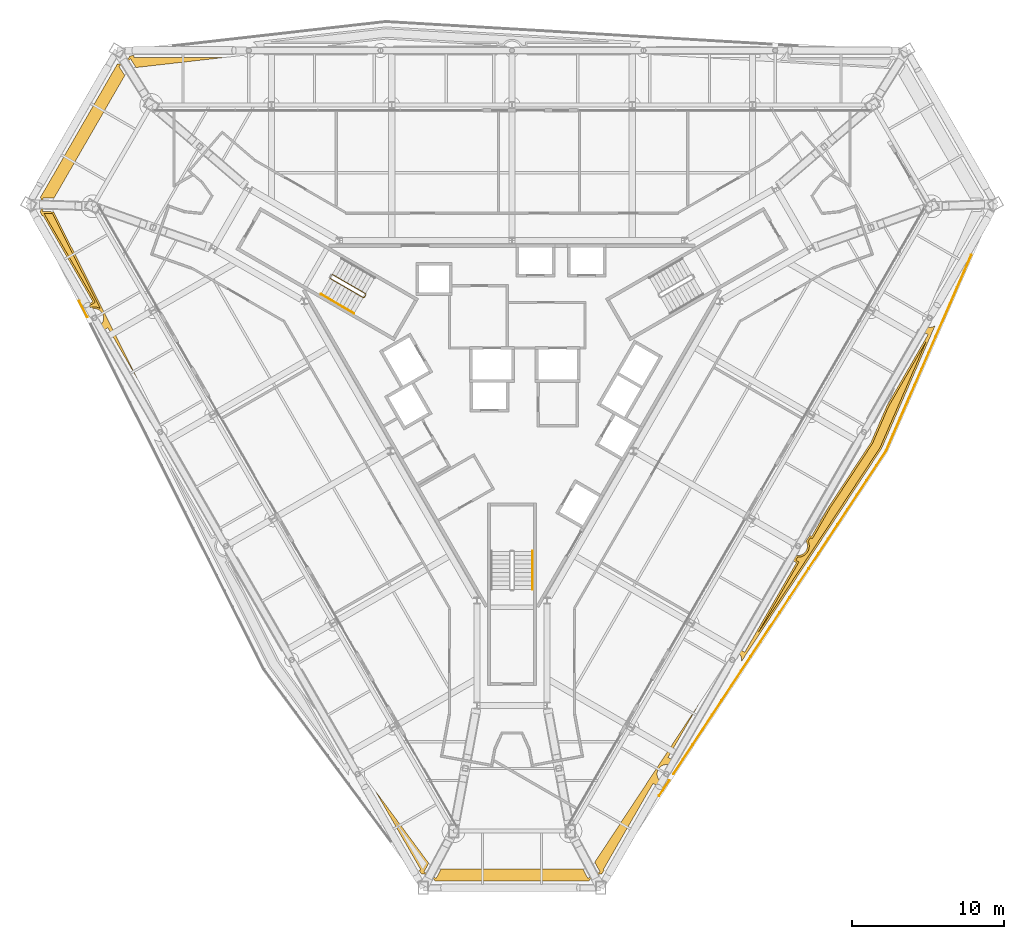
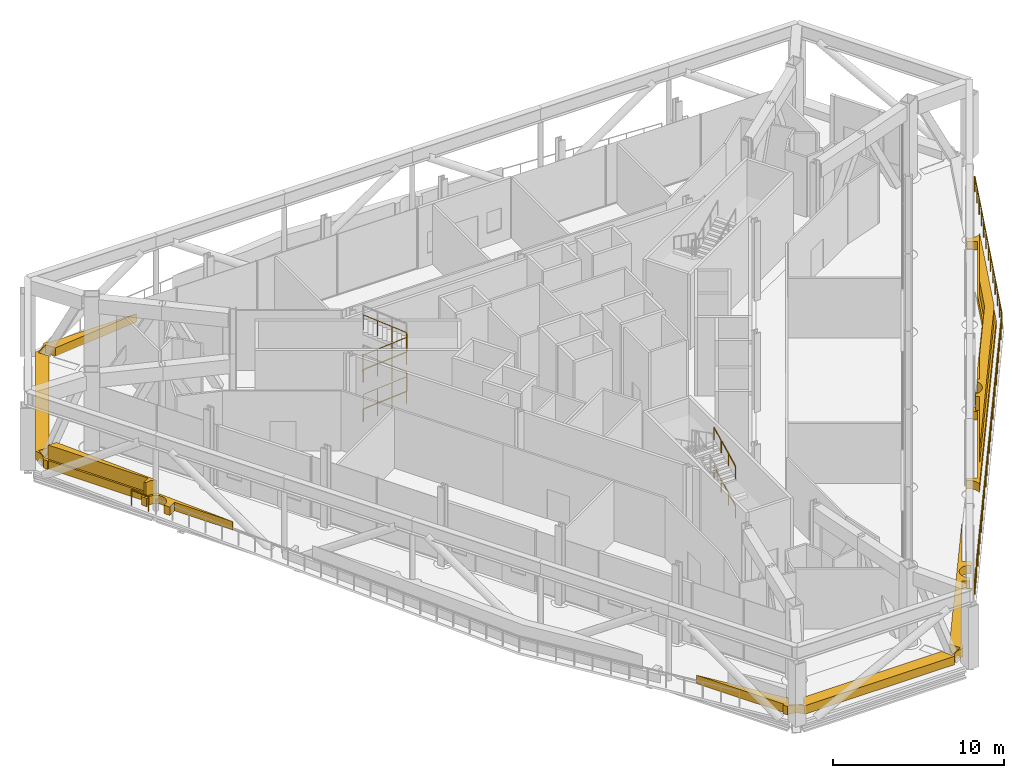
# One storey, part 23 of 26: 8 railings, 5 coverings.
"""IFC4 building model written with IfcOpenShell, lengths in metres."""

from ifc_helpers import new_model, si_unit, direction, frame, origin, origin_2d, place, context, subcontext, project, spatial, polyline, circle, outline, extrude, material, type_object, element, save


model = new_model("IFC4")

# Units and contexts
model_context = context("Model", 3, precision=1e-05, world=origin(), true_north=direction((0.0, 1.0)))
body_context = subcontext(model_context, "Body", "Model", "MODEL_VIEW")
ifc_project = project(units=[si_unit("LENGTHUNIT", "METRE"), si_unit("AREAUNIT", "SQUARE_METRE"), si_unit("VOLUMEUNIT", "CUBIC_METRE"), si_unit("PLANEANGLEUNIT", "RADIAN"), si_unit("MASSUNIT", "GRAM", prefix="KILO")], contexts=[model_context])

# Site, building, storey
site_placement = place(None, origin())
site = spatial("IfcSite", under=ifc_project, at=site_placement, CompositionType="ELEMENT")
building_placement = place(site_placement, origin())
building = spatial("IfcBuilding", under=site, at=building_placement, Name="Verrane Prism Tower", CompositionType="ELEMENT")
storey_placement = place(building_placement, frame((0.0, 0.0, 87.199951171875)))
storey = spatial("IfcBuildingStorey", under=building, at=storey_placement, Name="L20", CompositionType="ELEMENT", Elevation=87.199951171875)

# Coverings
ifc_material_1 = material(Name="Planting medium in stone kerb", Category="masonry")
covering_type_1 = type_object("IfcCoveringType", Name="Planter bed 600", PredefinedType="USERDEFINED", material=ifc_material_1)
covering_1_placement = place(storey_placement, origin())
element("IfcCovering", 1, at=covering_1_placement, inside=storey, type_object=covering_type_1, Name="Planter bed L20 2", ObjectType="PLANTER", PredefinedType="USERDEFINED", context=body_context, shape_type="SweptSolid", body=[
    extrude(outline(polyline([(27.75390625, 3.618896484375), (27.688720703125, 3.579833984375), (27.634521484375, 3.55419921875), (27.577880859375, 3.53369140625), (27.51953125, 3.519287109375), (27.4599609375, 3.510498046875), (27.39990234375, 3.50732421875), (27.340087890625, 3.510498046875), (27.280517578125, 3.519287109375), (27.22216796875, 3.53369140625), (27.16552734375, 3.55419921875), (27.111083984375, 3.579833984375), (27.059814453125, 3.610595703125), (27.011474609375, 3.646484375), (26.966796875, 3.68701171875), (26.92919921875, 3.728515625), (26.75830078125, 3.336181640625), (27.289794921875, 3.029296875), (24.59130859375, -1.64306640625), (23.538818359375, -4.061279296875), (20.7783203125, -8.256103515625), (19.65869140625, -10.198974609375), (19.54345703125, -10.13232421875), (19.2900390625, -10.517578125), (19.310302734375, -10.55126953125), (19.3359375, -10.605712890625), (19.356201171875, -10.662109375), (19.370849609375, -10.720458984375), (19.379638671875, -10.780029296875), (19.382568359375, -10.840087890625), (19.379638671875, -10.89990234375), (19.370849609375, -10.95947265625), (19.356201171875, -11.017822265625), (19.3359375, -11.074462890625), (19.310302734375, -11.12890625), (19.279296875, -11.180419921875), (19.243408203125, -11.228515625), (19.203125, -11.273193359375), (19.15869140625, -11.3134765625), (19.1103515625, -11.349365234375), (19.058837890625, -11.380126953125), (19.00439453125, -11.406005859375), (18.94775390625, -11.42626953125), (18.889404296875, -11.44091796875), (18.830078125, -11.44970703125), (18.77001953125, -11.45263671875), (18.7099609375, -11.44970703125), (18.6796875, -11.445068359375), (18.44287109375, -11.8046875), (18.659423828125, -11.93017578125), (15.26318359375, -17.802734375), (14.707275390625, -17.481201171875), (14.558349609375, -17.70751953125), (14.569580078125, -17.709228515625), (14.627685546875, -17.723876953125), (14.684326171875, -17.744140625), (14.73876953125, -17.769775390625), (14.790283203125, -17.80078125), (14.838623046875, -17.83642578125), (14.883056640625, -17.876953125), (14.923583984375, -17.92138671875), (14.959228515625, -17.9697265625), (14.990234375, -18.021240234375), (15.015869140625, -18.07568359375), (15.0361328125, -18.132080078125), (15.05078125, -18.1904296875), (15.0595703125, -18.25), (15.0625, -18.31005859375), (15.0595703125, -18.3701171875), (15.0537109375, -18.41015625), (24.244873046875, -4.443603515625), (27.75390625, 3.618896484375)])), origin(), (0.0, 0.0, 1.0), 0.60009765625),
])
covering_2_placement = place(storey_placement, origin())
element("IfcCovering", 2, at=covering_2_placement, inside=storey, type_object=covering_type_1, Name="Planter bed L20 3", ObjectType="PLANTER", PredefinedType="USERDEFINED", context=body_context, shape_type="SweptSolid", body=[
    extrude(outline(polyline([(-4.5576171875, -32.81005859375), (4.35693359375, -32.81005859375), (4.35693359375, -32.811279296875), (5.041015625, -32.811279296875), (5.07177734375, -32.760009765625), (5.124267578125, -32.68896484375), (5.18359375, -32.62353515625), (5.2490234375, -32.564208984375), (5.320068359375, -32.51171875), (5.395751953125, -32.46630859375), (5.4755859375, -32.428466796875), (5.55859375, -32.398681640625), (5.644287109375, -32.377197265625), (5.731689453125, -32.3642578125), (5.820068359375, -32.360107421875), (5.87158203125, -32.362548828125), (6.045166015625, -32.098876953125), (5.989013671875, -32.06640625), (9.25146484375, -26.412109375), (9.64013671875, -26.63623046875), (9.84130859375, -26.330322265625), (9.789794921875, -26.29931640625), (9.741455078125, -26.263427734375), (9.697021484375, -26.22314453125), (9.656494140625, -26.1787109375), (9.62060546875, -26.13037109375), (9.58984375, -26.078857421875), (9.564208984375, -26.0244140625), (9.543701171875, -25.9677734375), (9.529296875, -25.909423828125), (9.5205078125, -25.85009765625), (9.517333984375, -25.7900390625), (9.5205078125, -25.72998046875), (9.529296875, -25.67041015625), (9.543701171875, -25.6123046875), (9.564208984375, -25.5556640625), (9.58984375, -25.501220703125), (9.62060546875, -25.44970703125), (9.656494140625, -25.4013671875), (9.697021484375, -25.35693359375), (9.741455078125, -25.31640625), (9.789794921875, -25.28076171875), (9.84130859375, -25.249755859375), (9.8955078125, -25.22412109375), (9.9521484375, -25.203857421875), (10.010498046875, -25.189208984375), (10.070068359375, -25.180419921875), (10.1298828125, -25.177490234375), (10.18994140625, -25.180419921875), (10.24951171875, -25.189208984375), (10.307861328125, -25.203857421875), (10.364501953125, -25.22412109375), (10.418701171875, -25.249755859375), (10.47021484375, -25.28076171875), (10.511962890625, -25.3115234375), (10.72900390625, -24.981689453125), (10.240234375, -24.69921875), (12.19677734375, -21.3115234375), (12.189697265625, -21.306884765625), (5.430419921875, -31.577880859375), (5.772705078125, -32.21728515625), (4.97900390625, -32.641845703125), (4.6416015625, -32.01123046875), (-4.6416015625, -32.01123046875), (-4.97900390625, -32.641845703125), (-5.772705078125, -32.21728515625), (-5.46337890625, -31.639404296875), (-8.939453125, -26.9384765625), (-8.945556640625, -26.9423828125), (-5.989013671875, -32.06640625), (-6.0966796875, -32.128662109375), (-5.921142578125, -32.3662109375), (-5.908203125, -32.3642578125), (-5.820068359375, -32.360107421875), (-5.731689453125, -32.3642578125), (-5.644287109375, -32.377197265625), (-5.55859375, -32.398681640625), (-5.4755859375, -32.428466796875), (-5.395751953125, -32.46630859375), (-5.320068359375, -32.51171875), (-5.2490234375, -32.564208984375), (-5.18359375, -32.62353515625), (-5.124267578125, -32.68896484375), (-5.07177734375, -32.760009765625), (-5.041015625, -32.811279296875), (-4.5576171875, -32.811279296875), (-4.5576171875, -32.81005859375)])), origin(), (0.0, 0.0, 1.0), 0.60009765625),
])
covering_3_placement = place(storey_placement, origin())
element("IfcCovering", 3, at=covering_3_placement, inside=storey, type_object=covering_type_1, Name="Planter bed L20 6", ObjectType="PLANTER", PredefinedType="USERDEFINED", context=body_context, shape_type="SweptSolid", body=[
    extrude(outline(polyline([(-30.933837890625, 12.04345703125), (-30.916259765625, 12.014404296875), (-30.87841796875, 11.934326171875), (-30.848876953125, 11.851318359375), (-30.827392578125, 11.765625), (-30.814208984375, 11.67822265625), (-30.81005859375, 11.590087890625), (-30.814208984375, 11.501708984375), (-30.827392578125, 11.414306640625), (-30.848876953125, 11.32861328125), (-30.87841796875, 11.24560546875), (-30.916259765625, 11.165771484375), (-30.96044921875, 11.092041015625), (-30.820068359375, 10.8125), (-30.76123046875, 10.84619140625), (-27.498779296875, 5.19189453125), (-27.886962890625, 4.968017578125), (-27.722412109375, 4.64013671875), (-27.688720703125, 4.66015625), (-27.634521484375, 4.685791015625), (-27.577880859375, 4.706298828125), (-27.51953125, 4.720703125), (-27.4599609375, 4.7294921875), (-27.39990234375, 4.732666015625), (-27.340087890625, 4.7294921875), (-27.280517578125, 4.720703125), (-27.22216796875, 4.706298828125), (-27.16552734375, 4.685791015625), (-27.111083984375, 4.66015625), (-27.059814453125, 4.62939453125), (-27.011474609375, 4.593505859375), (-26.966796875, 4.552978515625), (-26.926513671875, 4.508544921875), (-26.890625, 4.460205078125), (-26.85986328125, 4.40869140625), (-26.833984375, 4.3544921875), (-26.813720703125, 4.2978515625), (-26.79931640625, 4.239501953125), (-26.790283203125, 4.179931640625), (-26.787353515625, 4.1201171875), (-26.790283203125, 4.06005859375), (-26.79931640625, 4.00048828125), (-26.813720703125, 3.942138671875), (-26.833984375, 3.885498046875), (-26.85986328125, 3.831298828125), (-26.890625, 3.77978515625), (-26.926513671875, 3.7314453125), (-26.966796875, 3.68701171875), (-27.011474609375, 3.646484375), (-27.059814453125, 3.610595703125), (-27.111083984375, 3.579833984375), (-27.16552734375, 3.55419921875), (-27.175537109375, 3.550537109375), (-26.998291015625, 3.197509765625), (-26.510498046875, 3.4794921875), (-24.554931640625, 0.09375), (-24.547607421875, 0.09765625), (-30.061767578125, 11.0849609375), (-30.7841796875, 11.10888671875), (-30.75439453125, 12.008544921875), (-30.0439453125, 11.98486328125), (-25.401611328125, 20.025390625), (-25.78173828125, 20.6328125), (-25.018798828125, 21.110107421875), (-24.669189453125, 20.55126953125), (-18.84423828125, 21.212890625), (-18.8447265625, 21.219970703125), (-24.781005859375, 21.219970703125), (-24.781005859375, 21.34375), (-25.07568359375, 21.310302734375), (-25.106201171875, 21.24560546875), (-25.151611328125, 21.169921875), (-25.204345703125, 21.09912109375), (-25.263671875, 21.03369140625), (-25.3291015625, 20.974365234375), (-25.39990234375, 20.921630859375), (-25.4755859375, 20.876220703125), (-25.5556640625, 20.83837890625), (-25.638671875, 20.808837890625), (-25.724365234375, 20.787353515625), (-25.811767578125, 20.7744140625), (-25.8955078125, 20.770263671875), (-28.229736328125, 16.726806640625), (-30.589599609375, 12.632568359375), (-30.5927734375, 12.63427734375), (-30.933837890625, 12.04345703125)])), origin(), (0.0, 0.0, 1.0), 0.60009765625),
])
ifc_material_2 = material(Name="Planted shrubs and grasses", Category="other")
covering_type_2 = type_object("IfcCoveringType", Name="Planting mass 1000", PredefinedType="USERDEFINED", material=ifc_material_2)
covering_4_placement = place(storey_placement, frame((0.0, 0.0, 0.60009765625)))
element("IfcCovering", 4, at=covering_4_placement, inside=storey, type_object=covering_type_2, Name="Planting L20 2", ObjectType="PLANTING", PredefinedType="USERDEFINED", context=body_context, shape_type="SweptSolid", body=[
    extrude(outline(polyline([(24.138916015625, -4.38623046875), (27.17724609375, 2.594482421875), (24.698486328125, -1.697265625), (23.644775390625, -4.11865234375), (20.88037109375, -8.319091796875), (19.702880859375, -10.36279296875), (19.58154296875, -10.292724609375), (19.4296875, -10.5234375), (19.447021484375, -10.5595703125), (19.47119140625, -10.627197265625), (19.488525390625, -10.697021484375), (19.499267578125, -10.768310546875), (19.502685546875, -10.840087890625), (19.499267578125, -10.911865234375), (19.488525390625, -10.98291015625), (19.47119140625, -11.052734375), (19.447021484375, -11.120361328125), (19.416259765625, -11.185302734375), (19.379150390625, -11.2470703125), (19.33642578125, -11.3046875), (19.2880859375, -11.358154296875), (19.23486328125, -11.406494140625), (19.177001953125, -11.44921875), (19.115478515625, -11.486083984375), (19.05029296875, -11.516845703125), (18.982666015625, -11.541259765625), (18.912841796875, -11.55859375), (18.841796875, -11.569091796875), (18.77001953125, -11.57275390625), (18.740234375, -11.5712890625), (18.613037109375, -11.7646484375), (18.823486328125, -11.88623046875), (16.069580078125, -16.64794921875), (24.138916015625, -4.38623046875)])), origin(), (0.0, 0.0, 1.0), 1.0),
])
covering_5_placement = place(storey_placement, frame((0.0, 0.0, 0.60009765625)))
element("IfcCovering", 5, at=covering_5_placement, inside=storey, type_object=covering_type_2, Name="Planting L20 6", ObjectType="PLANTING", PredefinedType="USERDEFINED", context=body_context, shape_type="SweptSolid", body=[
    extrude(outline(polyline([(-27.3349609375, 5.147705078125), (-27.72900390625, 4.920654296875), (-27.6689453125, 4.801025390625), (-27.61279296875, 4.8212890625), (-27.54296875, 4.838623046875), (-27.4716796875, 4.84912109375), (-27.39990234375, 4.852783203125), (-27.328125, 4.84912109375), (-27.257080078125, 4.838623046875), (-27.187255859375, 4.8212890625), (-27.11962890625, 4.796875), (-27.0546875, 4.76611328125), (-27.011962890625, 4.740478515625), (-30.13720703125, 10.96728515625), (-30.70361328125, 10.986083984375), (-27.3349609375, 5.147705078125)])), origin(), (0.0, 0.0, 1.0), 1.0),
])

# Railings
ifc_material_3 = material(Name="Steel A36 rail and posts, no infill", Category="steel")
railing_type_1 = type_object("IfcRailingType", Name="Stair guard 1100 steel rail and posts", PredefinedType="GUARDRAIL", material=ifc_material_3)
railing_1_placement = place(storey_placement, frame((-11.939453125, 6.72021484375, 0.14013671875)))
element("IfcRailing", 6, at=railing_1_placement, inside=storey, type_object=railing_type_1, Name="Stair 2 guard", PredefinedType="GUARDRAIL", context=body_context, shape_type="SweptSolid", body=[
    extrude(circle(Radius=0.02392578125, at=origin_2d()), frame((0.0, 0.0, 1.076171875), z_axis=(0.77459271029, -0.44721702403, 0.44721702403), x_axis=(0.500004791531, 0.866022637375, 0.0)), (0.0, 0.0, 1.0), 2.8173828125),
    extrude(circle(Radius=0.02392578125, at=origin_2d()), frame((2.182373046875, -1.260009765625, 2.3359375), z_axis=(0.965715946433, 0.259601060869, 0.0), x_axis=(-0.259601060869, 0.965715946433, 0.0)), (0.0, 0.0, 1.0), 0.070556640625),
    extrude(circle(Radius=0.02392578125, at=origin_2d()), frame((2.25048828125, -1.24169921875, 2.3359375), z_axis=(0.500603037456, 0.865676959893, 0.0), x_axis=(-0.865676959893, 0.500603037456, 0.0)), (0.0, 0.0, 1.0), 0.199951171875),
    extrude(circle(Radius=0.02392578125, at=origin_2d()), frame((2.3505859375, -1.068603515625, 2.3359375), z_axis=(-0.11679551272, 0.436036580821, 0.892317717181), x_axis=(-0.965948051503, -0.258736085224, 0.0)), (0.0, 0.0, 1.0), 0.15673828125),
    extrude(circle(Radius=0.02392578125, at=origin_2d()), frame((2.332275390625, -1.000244140625, 2.47607421875), z_axis=(-0.77459271029, 0.44721702403, 0.44721702403), x_axis=(-0.500004791531, -0.866022637375, 0.0)), (0.0, 0.0, 1.0), 2.8173828125),
    extrude(circle(Radius=0.02392578125, at=origin_2d()), frame((0.14990234375, 0.259765625, 3.73583984375), z_axis=(-0.659656118156, -0.751567565678, 0.0), x_axis=(0.751567565678, -0.659656118156, 0.0)), (0.0, 0.0, 1.0), 0.2548828125),
    extrude(circle(Radius=0.02392578125, at=origin_2d()), frame((-0.018310546875, 0.068115234375, 3.73583984375), z_axis=(0.499158860599, 0.866510491504, 0.0), x_axis=(-0.866510491504, 0.499158860599, 0.0)), (0.0, 0.0, 1.0), 0.199951171875),
    extrude(circle(Radius=0.02392578125, at=origin_2d()), frame((0.08154296875, 0.241455078125, 3.73583984375), z_axis=(-0.280483573926, -0.830533696446, 0.481188885808), x_axis=(0.947430582667, -0.3199613899, 0.0)), (0.0, 0.0, 1.0), 0.290771484375),
    extrude(circle(Radius=0.02392578125, at=origin_2d()), frame((0.0, 0.0, 3.8759765625), z_axis=(0.77459271029, -0.44721702403, 0.44721702403), x_axis=(0.500004791531, 0.866022637375, 0.0)), (0.0, 0.0, 1.0), 2.8173828125),
    extrude(circle(Radius=0.02392578125, at=origin_2d()), frame((2.182373046875, -1.260009765625, 5.1357421875), z_axis=(0.965715946433, 0.259601060869, 0.0), x_axis=(-0.259601060869, 0.965715946433, 0.0)), (0.0, 0.0, 1.0), 0.070556640625),
    extrude(circle(Radius=0.02392578125, at=origin_2d()), frame((2.25048828125, -1.24169921875, 5.1357421875), z_axis=(0.500603037456, 0.865676959893, 0.0), x_axis=(-0.865676959893, 0.500603037456, 0.0)), (0.0, 0.0, 1.0), 0.199951171875),
    extrude(circle(Radius=0.02392578125, at=origin_2d()), frame((2.3505859375, -1.068603515625, 5.1357421875), z_axis=(-0.116633412166, 0.43543140542, 0.892634381111), x_axis=(-0.965948051503, -0.258736085224, 0.0)), (0.0, 0.0, 1.0), 0.156982421875),
    extrude(circle(Radius=0.02392578125, at=origin_2d()), frame((2.332275390625, -1.000244140625, 5.27587890625), z_axis=(-0.77459271029, 0.44721702403, 0.44721702403), x_axis=(-0.500004791531, -0.866022637375, 0.0)), (0.0, 0.0, 1.0), 2.8173828125),
    extrude(circle(Radius=0.02099609375, at=origin_2d()), origin(), (0.0, 0.0, 1.0), 1.052001953125),
    extrude(circle(Radius=0.02099609375, at=origin_2d()), frame((0.7275390625, -0.419921875, 0.419921875)), (0.0, 0.0, 1.0), 1.052001953125),
    extrude(circle(Radius=0.02099609375, at=origin_2d()), frame((1.454833984375, -0.840087890625, 0.840087890625)), (0.0, 0.0, 1.0), 1.052001953125),
    extrude(circle(Radius=0.02099609375, at=origin_2d()), frame((2.182373046875, -1.260009765625, 1.260009765625)), (0.0, 0.0, 1.0), 1.052001953125),
    extrude(circle(Radius=0.02099609375, at=origin_2d()), frame((2.25048828125, -1.24169921875, 1.260009765625)), (0.0, 0.0, 1.0), 1.052001953125),
    extrude(circle(Radius=0.02099609375, at=origin_2d()), frame((2.3505859375, -1.068603515625, 1.260009765625)), (0.0, 0.0, 1.0), 1.052001953125),
    extrude(circle(Radius=0.02099609375, at=origin_2d()), frame((2.332275390625, -1.000244140625, 1.39990234375)), (0.0, 0.0, 1.0), 1.052001953125),
    extrude(circle(Radius=0.02099609375, at=origin_2d()), frame((1.604736328125, -0.580322265625, 1.81982421875)), (0.0, 0.0, 1.0), 1.052001953125),
    extrude(circle(Radius=0.02099609375, at=origin_2d()), frame((0.87744140625, -0.16015625, 2.239990234375)), (0.0, 0.0, 1.0), 1.052001953125),
    extrude(circle(Radius=0.02099609375, at=origin_2d()), frame((0.14990234375, 0.259765625, 2.659912109375)), (0.0, 0.0, 1.0), 1.052001953125),
    extrude(circle(Radius=0.02099609375, at=origin_2d()), frame((-0.018310546875, 0.068115234375, 2.659912109375)), (0.0, 0.0, 1.0), 1.052001953125),
    extrude(circle(Radius=0.02099609375, at=origin_2d()), frame((0.08154296875, 0.241455078125, 2.659912109375)), (0.0, 0.0, 1.0), 1.052001953125),
    extrude(circle(Radius=0.02099609375, at=origin_2d()), frame((0.0, 0.0, 2.7998046875)), (0.0, 0.0, 1.0), 1.052001953125),
    extrude(circle(Radius=0.02099609375, at=origin_2d()), frame((0.7275390625, -0.419921875, 3.2197265625)), (0.0, 0.0, 1.0), 1.052001953125),
    extrude(circle(Radius=0.02099609375, at=origin_2d()), frame((1.454833984375, -0.840087890625, 3.639892578125)), (0.0, 0.0, 1.0), 1.052001953125),
    extrude(circle(Radius=0.02099609375, at=origin_2d()), frame((2.182373046875, -1.260009765625, 4.059814453125)), (0.0, 0.0, 1.0), 1.052001953125),
    extrude(circle(Radius=0.02099609375, at=origin_2d()), frame((2.25048828125, -1.24169921875, 4.059814453125)), (0.0, 0.0, 1.0), 1.052001953125),
    extrude(circle(Radius=0.02099609375, at=origin_2d()), frame((2.3505859375, -1.068603515625, 4.059814453125)), (0.0, 0.0, 1.0), 1.052001953125),
    extrude(circle(Radius=0.02099609375, at=origin_2d()), frame((2.332275390625, -1.000244140625, 4.199951171875)), (0.0, 0.0, 1.0), 1.052001953125),
    extrude(circle(Radius=0.02099609375, at=origin_2d()), frame((1.604736328125, -0.580322265625, 4.619873046875)), (0.0, 0.0, 1.0), 1.052001953125),
    extrude(circle(Radius=0.02099609375, at=origin_2d()), frame((0.87744140625, -0.16015625, 5.0400390625)), (0.0, 0.0, 1.0), 1.052001953125),
    extrude(circle(Radius=0.02099609375, at=origin_2d()), frame((0.14990234375, 0.259765625, 5.4599609375)), (0.0, 0.0, 1.0), 1.052001953125),
])
ifc_material_4 = material(Name="Steel A36 tube", Category="steel")
railing_type_2 = type_object("IfcRailingType", Name="Stair handrail 900 steel tube", PredefinedType="HANDRAIL", material=ifc_material_4)
for number, where, name in (
    (7, (-12.53955078125, 5.680908203125, 0.14013671875), "Stair 2 handrail"),
    (8, (-12.53955078125, 5.680908203125, 2.93994140625), "Stair 2 handrail"),
):
    element("IfcRailing", number, at=place(storey_placement, frame(where)), inside=storey, type_object=railing_type_2, Name=name, PredefinedType="HANDRAIL", context=body_context, shape_type="SweptSolid", body=[
        extrude(circle(Radius=0.02392578125, at=origin_2d()), frame((0.0, 0.0, 0.8759765625), z_axis=(0.77459271029, -0.44721702403, 0.44721702403), x_axis=(0.500004791531, 0.866022637375, 0.0)), (0.0, 0.0, 1.0), 2.8173828125),
        extrude(circle(Radius=0.02099609375, at=origin_2d()), origin(), (0.0, 0.0, 1.0), 0.851806640625),
        extrude(circle(Radius=0.02099609375, at=origin_2d()), frame((0.7275390625, -0.419921875, 0.419921875)), (0.0, 0.0, 1.0), 0.851806640625),
        extrude(circle(Radius=0.02099609375, at=origin_2d()), frame((1.454833984375, -0.840087890625, 0.840087890625)), (0.0, 0.0, 1.0), 0.851806640625),
        extrude(circle(Radius=0.02099609375, at=origin_2d()), frame((2.182373046875, -1.260009765625, 1.260009765625)), (0.0, 0.0, 1.0), 0.851806640625),
    ])
for number, where, name in (
    (9, (1.35009765625, -13.699951171875, 0.14013671875), "Stair 3 handrail"),
    (10, (1.35009765625, -13.699951171875, 2.93994140625), "Stair 3 handrail"),
):
    element("IfcRailing", number, at=place(storey_placement, frame(where)), inside=storey, type_object=railing_type_2, Name=name, PredefinedType="HANDRAIL", context=body_context, shape_type="SweptSolid", body=[
        extrude(circle(Radius=0.02392578125, at=origin_2d()), frame((0.0, 0.0, 0.8759765625), z_axis=(0.0, 0.894427191, 0.4472135955), x_axis=(-1.0, 0.0, 0.0)), (0.0, 0.0, 1.0), 2.8173828125),
        extrude(circle(Radius=0.02099609375, at=origin_2d()), origin(), (0.0, 0.0, 1.0), 0.851806640625),
        extrude(circle(Radius=0.02099609375, at=origin_2d()), frame((0.0, 0.840087890625, 0.419921875)), (0.0, 0.0, 1.0), 0.851806640625),
        extrude(circle(Radius=0.02099609375, at=origin_2d()), frame((0.0, 1.679931640625, 0.840087890625)), (0.0, 0.0, 1.0), 0.851806640625),
        extrude(circle(Radius=0.02099609375, at=origin_2d()), frame((0.0, 2.52001953125, 1.260009765625)), (0.0, 0.0, 1.0), 0.851806640625),
    ])
ifc_material_5 = material(Name="Stainless steel and laminated glass", Category="steel")
railing_type_3 = type_object("IfcRailingType", Name="Terrace guard 1100", PredefinedType="GUARDRAIL", material=ifc_material_5)
railing_2_placement = place(storey_placement, frame((-28.392822265625, 5.240478515625, 0.0)))
element("IfcRailing", 11, at=railing_2_placement, inside=storey, type_object=railing_type_3, Name="Terrace guard L20 3", PredefinedType="GUARDRAIL", context=body_context, shape_type="SweptSolid", body=[
    extrude(circle(Radius=0.02392578125, at=origin_2d()), frame((0.0, 0.0, 1.076171875), z_axis=(0.448607261224, -0.893728999852, 0.0), x_axis=(0.893728999852, 0.448607261224, 0.0)), (0.0, 0.0, 1.0), 1.190673828125),
    extrude(circle(Radius=0.02099609375, at=origin_2d()), origin(), (0.0, 0.0, 1.0), 1.052001953125),
    extrude(circle(Radius=0.02099609375, at=origin_2d()), frame((0.5341796875, -1.064208984375, 0.0)), (0.0, 0.0, 1.0), 1.052001953125),
])
railing_3_placement = place(storey_placement, frame((9.65283203125, -27.21728515625, 0.0)))
element("IfcRailing", 12, at=railing_3_placement, inside=storey, type_object=railing_type_3, Name="Terrace guard L20 5", PredefinedType="GUARDRAIL", context=body_context, shape_type="SweptSolid", body=[
    extrude(circle(Radius=0.02392578125, at=origin_2d()), frame((0.0, 0.0, 1.076171875), z_axis=(0.549620237416, 0.835414624377, 0.0), x_axis=(-0.835414624377, 0.549620237416, 0.0)), (0.0, 0.0, 1.0), 1.2001953125),
    extrude(circle(Radius=0.02099609375, at=origin_2d()), origin(), (0.0, 0.0, 1.0), 1.052001953125),
    extrude(circle(Radius=0.02099609375, at=origin_2d()), frame((0.329833984375, 0.50146484375, 0.0)), (0.0, 0.0, 1.0), 1.052001953125),
    extrude(circle(Radius=0.02099609375, at=origin_2d()), frame((0.65966796875, 1.002685546875, 0.0)), (0.0, 0.0, 1.0), 1.052001953125),
])
railing_4_placement = place(storey_placement, frame((10.592529296875, -25.789306640625, 0.0)))
element("IfcRailing", 13, at=railing_4_placement, inside=storey, type_object=railing_type_3, Name="Terrace guard L20 6", PredefinedType="GUARDRAIL", context=body_context, shape_type="SweptSolid", body=[
    extrude(circle(Radius=0.02392578125, at=origin_2d()), frame((0.0, 0.0, 1.076171875), z_axis=(0.549730343928, 0.835342174779, 0.0), x_axis=(-0.835342174779, 0.549730343928, 0.0)), (0.0, 0.0, 1.0), 25.364501953125),
    extrude(circle(Radius=0.02392578125, at=origin_2d()), frame((13.943603515625, 21.18798828125, 1.076171875), z_axis=(0.399067453741, 0.916921571, 0.0), x_axis=(-0.916921571, 0.399067453741, 0.0)), (0.0, 0.0, 1.0), 14.01708984375),
    extrude(circle(Radius=0.02099609375, at=origin_2d()), origin(), (0.0, 0.0, 1.0), 1.052001953125),
    extrude(circle(Radius=0.02099609375, at=origin_2d()), frame((0.6337890625, 0.963134765625, 0.0)), (0.0, 0.0, 1.0), 1.052001953125),
    extrude(circle(Radius=0.02099609375, at=origin_2d()), frame((1.267578125, 1.92626953125, 0.0)), (0.0, 0.0, 1.0), 1.052001953125),
    extrude(circle(Radius=0.02099609375, at=origin_2d()), frame((1.9013671875, 2.88916015625, 0.0)), (0.0, 0.0, 1.0), 1.052001953125),
    extrude(circle(Radius=0.02099609375, at=origin_2d()), frame((2.53515625, 3.852294921875, 0.0)), (0.0, 0.0, 1.0), 1.052001953125),
    extrude(circle(Radius=0.02099609375, at=origin_2d()), frame((3.1689453125, 4.8154296875, 0.0)), (0.0, 0.0, 1.0), 1.052001953125),
    extrude(circle(Radius=0.02099609375, at=origin_2d()), frame((3.802734375, 5.778564453125, 0.0)), (0.0, 0.0, 1.0), 1.052001953125),
    extrude(circle(Radius=0.02099609375, at=origin_2d()), frame((4.4365234375, 6.74169921875, 0.0)), (0.0, 0.0, 1.0), 1.052001953125),
    extrude(circle(Radius=0.02099609375, at=origin_2d()), frame((5.0703125, 7.704833984375, 0.0)), (0.0, 0.0, 1.0), 1.052001953125),
    extrude(circle(Radius=0.02099609375, at=origin_2d()), frame((5.7041015625, 8.667724609375, 0.0)), (0.0, 0.0, 1.0), 1.052001953125),
    extrude(circle(Radius=0.02099609375, at=origin_2d()), frame((6.337890625, 9.630859375, 0.0)), (0.0, 0.0, 1.0), 1.052001953125),
    extrude(circle(Radius=0.02099609375, at=origin_2d()), frame((6.9716796875, 10.593994140625, 0.0)), (0.0, 0.0, 1.0), 1.052001953125),
    extrude(circle(Radius=0.02099609375, at=origin_2d()), frame((7.605712890625, 11.55712890625, 0.0)), (0.0, 0.0, 1.0), 1.052001953125),
    extrude(circle(Radius=0.02099609375, at=origin_2d()), frame((8.239501953125, 12.520263671875, 0.0)), (0.0, 0.0, 1.0), 1.052001953125),
    extrude(circle(Radius=0.02099609375, at=origin_2d()), frame((8.873291015625, 13.483154296875, 0.0)), (0.0, 0.0, 1.0), 1.052001953125),
    extrude(circle(Radius=0.02099609375, at=origin_2d()), frame((9.507080078125, 14.4462890625, 0.0)), (0.0, 0.0, 1.0), 1.052001953125),
    extrude(circle(Radius=0.02099609375, at=origin_2d()), frame((10.140869140625, 15.409423828125, 0.0)), (0.0, 0.0, 1.0), 1.052001953125),
    extrude(circle(Radius=0.02099609375, at=origin_2d()), frame((10.774658203125, 16.37255859375, 0.0)), (0.0, 0.0, 1.0), 1.052001953125),
    extrude(circle(Radius=0.02099609375, at=origin_2d()), frame((11.408447265625, 17.335693359375, 0.0)), (0.0, 0.0, 1.0), 1.052001953125),
    extrude(circle(Radius=0.02099609375, at=origin_2d()), frame((12.042236328125, 18.298828125, 0.0)), (0.0, 0.0, 1.0), 1.052001953125),
    extrude(circle(Radius=0.02099609375, at=origin_2d()), frame((12.676025390625, 19.26171875, 0.0)), (0.0, 0.0, 1.0), 1.052001953125),
    extrude(circle(Radius=0.02099609375, at=origin_2d()), frame((13.309814453125, 20.224853515625, 0.0)), (0.0, 0.0, 1.0), 1.052001953125),
    extrude(circle(Radius=0.02099609375, at=origin_2d()), frame((13.943603515625, 21.18798828125, 0.0)), (0.0, 0.0, 1.0), 1.052001953125),
    extrude(circle(Radius=0.02099609375, at=origin_2d()), frame((14.40966796875, 22.259033203125, 0.0)), (0.0, 0.0, 1.0), 1.052001953125),
    extrude(circle(Radius=0.02099609375, at=origin_2d()), frame((14.8759765625, 23.330078125, 0.0)), (0.0, 0.0, 1.0), 1.052001953125),
    extrude(circle(Radius=0.02099609375, at=origin_2d()), frame((15.342041015625, 24.401123046875, 0.0)), (0.0, 0.0, 1.0), 1.052001953125),
    extrude(circle(Radius=0.02099609375, at=origin_2d()), frame((15.80810546875, 25.47216796875, 0.0)), (0.0, 0.0, 1.0), 1.052001953125),
    extrude(circle(Radius=0.02099609375, at=origin_2d()), frame((16.2744140625, 26.543212890625, 0.0)), (0.0, 0.0, 1.0), 1.052001953125),
    extrude(circle(Radius=0.02099609375, at=origin_2d()), frame((16.740478515625, 27.6142578125, 0.0)), (0.0, 0.0, 1.0), 1.052001953125),
    extrude(circle(Radius=0.02099609375, at=origin_2d()), frame((17.20654296875, 28.685302734375, 0.0)), (0.0, 0.0, 1.0), 1.052001953125),
    extrude(circle(Radius=0.02099609375, at=origin_2d()), frame((17.6728515625, 29.75634765625, 0.0)), (0.0, 0.0, 1.0), 1.052001953125),
    extrude(circle(Radius=0.02099609375, at=origin_2d()), frame((18.138916015625, 30.827392578125, 0.0)), (0.0, 0.0, 1.0), 1.052001953125),
    extrude(circle(Radius=0.02099609375, at=origin_2d()), frame((18.60498046875, 31.8984375, 0.0)), (0.0, 0.0, 1.0), 1.052001953125),
    extrude(circle(Radius=0.02099609375, at=origin_2d()), frame((19.0712890625, 32.969482421875, 0.0)), (0.0, 0.0, 1.0), 1.052001953125),
    extrude(circle(Radius=0.02099609375, at=origin_2d()), frame((19.537353515625, 34.04052734375, 0.0)), (0.0, 0.0, 1.0), 1.052001953125),
])

save(model, "model.ifc")
